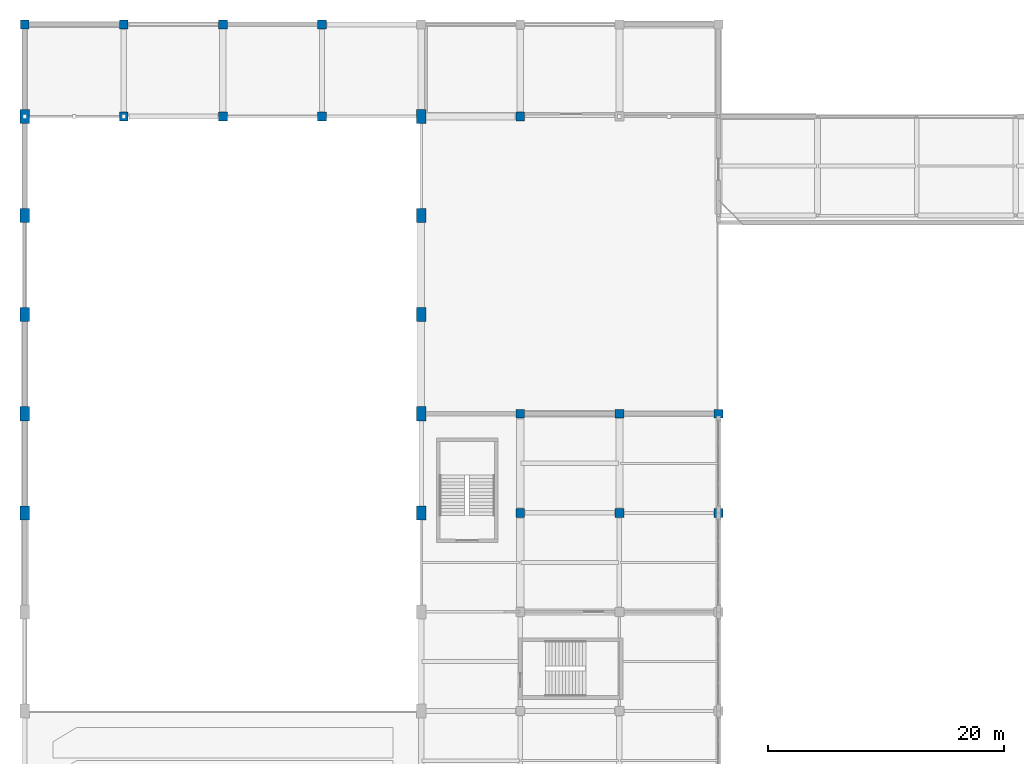
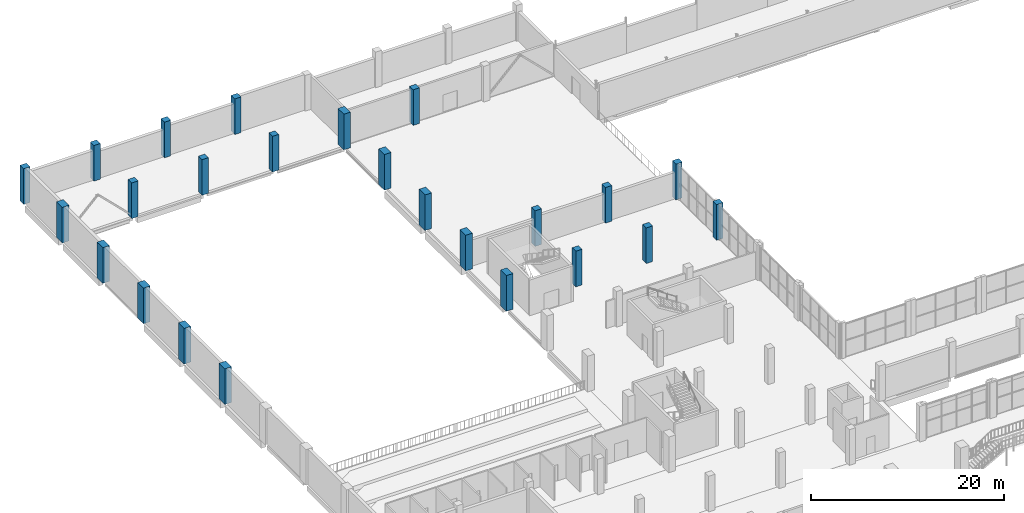
# One storey, part 9 of 75: 24 columns.
"""IFC4 building model written with IfcOpenShell, lengths in metres."""

from ifc_helpers import new_model, si_unit, derived_unit, direction, frame, origin, origin_2d, place, context, subcontext, project, spatial, rectangle, extrude, material, material_profile, profile_set, type_object, element, save


model = new_model("IFC4")

# Units and contexts
model_context = context("Model", 3, precision=1e-05, world=origin(), true_north=direction((0.0, 1.0)))
body_context = subcontext(model_context, "Body", "Model", "MODEL_VIEW")
ifc_project = project(units=[si_unit("LENGTHUNIT", "METRE"), si_unit("AREAUNIT", "SQUARE_METRE"), si_unit("VOLUMEUNIT", "CUBIC_METRE"), si_unit("PLANEANGLEUNIT", "RADIAN"), si_unit("MASSUNIT", "GRAM", prefix="KILO"), derived_unit("THERMALTRANSMITTANCEUNIT", [(si_unit("POWERUNIT", "WATT"), 1), (si_unit("LENGTHUNIT", "METRE"), -2), (si_unit("THERMODYNAMICTEMPERATUREUNIT", "KELVIN"), -1)])], contexts=[model_context])

# Site, building, storey
site_placement = place(None, origin())
site = spatial("IfcSite", under=ifc_project, at=site_placement, CompositionType="ELEMENT")
building_placement = place(site_placement, origin())
building = spatial("IfcBuilding", under=site, at=building_placement, Name="Barrovel Congress Hotel", CompositionType="ELEMENT")
storey_placement = place(building_placement, frame((0.0, 0.0, 5.39990234375)))
storey = spatial("IfcBuildingStorey", under=building, at=storey_placement, Name="L01", CompositionType="ELEMENT", Elevation=5.39990234375)

# Columns
ifc_material = material(Name="Concrete C40", Category="concrete")
ifc_material_profile_1 = material_profile(ifc_material, rectangle(XDim=0.75, YDim=0.75, at=origin_2d()), Name="RC750x750")
ifc_profile_set_1 = profile_set([ifc_material_profile_1], Name="Concrete C40")
column_type_1 = type_object("IfcColumnType", Name="COL-RC750x750", PredefinedType="COLUMN", material=ifc_profile_set_1)
for number, where, z_axis, x_axis, name in (
    (1, (0.0, 112.800048828125, 0.0), (0.0, 0.0, 1.0), (1.0, 0.0, 0.0), "COL:L01:0.0:112.8"),
    (2, (8.39990234375, 105.0, 0.0), (0.0, 0.0, 1.0), (1.0, 0.0, 0.0), "COL:L01:8.4:105.0"),
    (3, (8.39990234375, 112.800048828125, 0.0), (0.0, 0.0, 1.0), (1.0, 0.0, 0.0), "COL:L01:8.4:112.8"),
    (4, (16.800048828125, 105.0, 0.0), (0.0, 0.0, 1.0), (1.0, 0.0, 0.0), "COL:L01:16.8:105.0"),
    (5, (16.800048828125, 112.800048828125, 0.0), (0.0, 0.0, 1.0), (1.0, 0.0, 0.0), "COL:L01:16.8:112.8"),
    (6, (25.199951171875, 105.0, 0.0), (0.0, 0.0, 1.0), (1.0, 0.0, 0.0), "COL:L01:25.2:105.0"),
    (7, (25.199951171875, 112.800048828125, 0.0), (0.0, 0.0, 1.0), (1.0, 0.0, 0.0), "COL:L01:25.2:112.8"),
    (8, (42.0, 71.39990234375, 0.0), (0.0, 0.0, 1.0), (1.0, 0.0, 0.0), "COL:L01:42.0:71.4"),
    (9, (42.0, 79.800048828125, 0.0), (0.0, 0.0, 1.0), (1.0, 0.0, 0.0), "COL:L01:42.0:79.8"),
    (10, (42.0, 105.0, 0.0), (0.0, 0.0, 1.0), (1.0, 0.0, 0.0), "COL:L01:42.0:105.0"),
    (11, (50.39990234375, 71.39990234375, 0.0), (0.0, 0.0, 1.0), (1.0, 0.0, 0.0), "COL:L01:50.4:71.4"),
    (12, (50.39990234375, 79.800048828125, 0.0), (0.0, 0.0, 1.0), (1.0, 0.0, 0.0), "COL:L01:50.4:79.8"),
    (13, (58.800048828125, 71.39990234375, 0.0), (0.0, 0.0, 1.0), (1.0, 0.0, 0.0), "COL:L01:58.8:71.4"),
    (14, (58.800048828125, 79.800048828125, 0.0), (0.0, 0.0, 1.0), (1.0, 0.0, 0.0), "COL:L01:58.8:79.8"),
):
    element("IfcColumn", number, at=place(storey_placement, frame(where, z_axis=z_axis, x_axis=x_axis)), inside=storey, type_object=column_type_1, Name=name, PredefinedType="COLUMN", context=body_context, shape_type="SweptSolid", body=[
        extrude(rectangle(XDim=0.75, YDim=0.75, at=origin_2d()), origin(), (0.0, 0.0, 1.0), 4.5),
    ])
ifc_material_profile_2 = material_profile(ifc_material, rectangle(XDim=0.800048828125, YDim=1.199951171875, at=origin_2d()), Name="RC800x1200")
ifc_profile_set_2 = profile_set([ifc_material_profile_2], Name="Concrete C40")
column_type_2 = type_object("IfcColumnType", Name="COL-RC800x1200", PredefinedType="COLUMN", material=ifc_profile_set_2)
for number, where, z_axis, x_axis, name in (
    (15, (0.0, 71.39990234375, 0.0), (0.0, 0.0, 1.0), (1.0, 0.0, 0.0), "COL:L01:0.0:71.4"),
    (16, (0.0, 79.800048828125, 0.0), (0.0, 0.0, 1.0), (1.0, 0.0, 0.0), "COL:L01:0.0:79.8"),
    (17, (0.0, 88.199951171875, 0.0), (0.0, 0.0, 1.0), (1.0, 0.0, 0.0), "COL:L01:0.0:88.2"),
    (18, (0.0, 96.60009765625, 0.0), (0.0, 0.0, 1.0), (1.0, 0.0, 0.0), "COL:L01:0.0:96.6"),
    (19, (0.0, 105.0, 0.0), (0.0, 0.0, 1.0), (1.0, 0.0, 0.0), "COL:L01:0.0:105.0"),
    (20, (33.60009765625, 71.39990234375, 0.0), (0.0, 0.0, 1.0), (1.0, 0.0, 0.0), "COL:L01:33.6:71.4"),
    (21, (33.60009765625, 79.800048828125, 0.0), (0.0, 0.0, 1.0), (1.0, 0.0, 0.0), "COL:L01:33.6:79.8"),
    (22, (33.60009765625, 88.199951171875, 0.0), (0.0, 0.0, 1.0), (1.0, 0.0, 0.0), "COL:L01:33.6:88.2"),
    (23, (33.60009765625, 96.60009765625, 0.0), (0.0, 0.0, 1.0), (1.0, 0.0, 0.0), "COL:L01:33.6:96.6"),
    (24, (33.60009765625, 105.0, 0.0), (0.0, 0.0, 1.0), (1.0, 0.0, 0.0), "COL:L01:33.6:105.0"),
):
    element("IfcColumn", number, at=place(storey_placement, frame(where, z_axis=z_axis, x_axis=x_axis)), inside=storey, type_object=column_type_2, Name=name, PredefinedType="COLUMN", context=body_context, shape_type="SweptSolid", body=[
        extrude(rectangle(XDim=0.800048828125, YDim=1.199951171875, at=origin_2d()), origin(), (0.0, 0.0, 1.0), 4.5),
    ])

save(model, "model.ifc")
